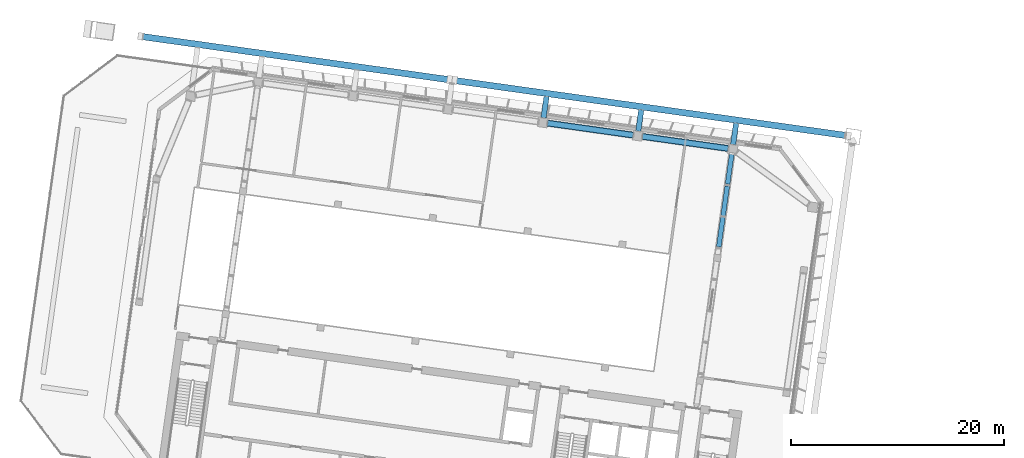
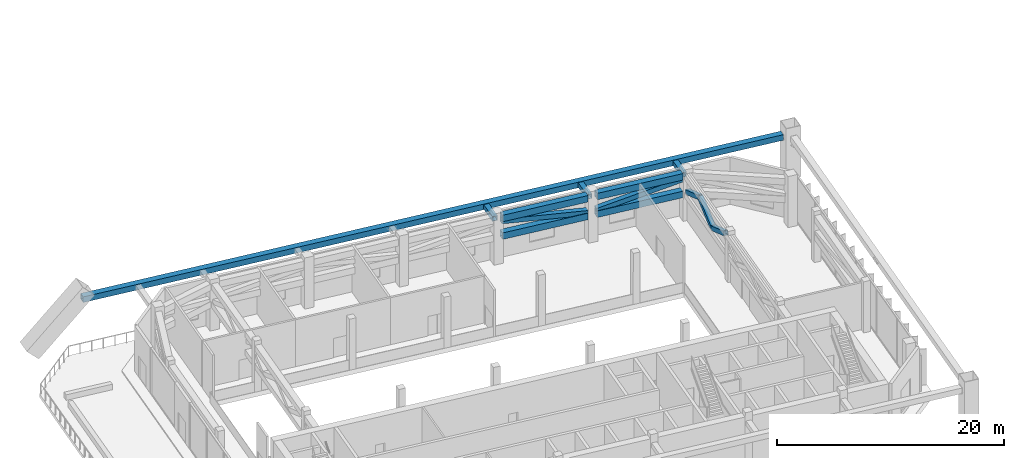
# One storey, part 6 of 41: 13 members.
"""IFC4 building model written with IfcOpenShell, lengths in metres."""

from ifc_helpers import new_model, si_unit, direction, frame, origin, origin_2d, place, context, subcontext, project, spatial, hollow_rectangle, extrude, material, material_profile, profile_set, type_object, element, save


model = new_model("IFC4")

# Units and contexts
model_context = context("Model", 3, precision=1e-05, world=origin(), true_north=direction((0.0, 1.0)))
body_context = subcontext(model_context, "Body", "Model", "MODEL_VIEW")
ifc_project = project(units=[si_unit("LENGTHUNIT", "METRE"), si_unit("AREAUNIT", "SQUARE_METRE"), si_unit("VOLUMEUNIT", "CUBIC_METRE"), si_unit("PLANEANGLEUNIT", "RADIAN"), si_unit("MASSUNIT", "GRAM", prefix="KILO")], contexts=[model_context])

# Site, building, storey
site_placement = place(None, origin())
site = spatial("IfcSite", under=ifc_project, at=site_placement, CompositionType="ELEMENT")
building_placement = place(site_placement, origin())
building = spatial("IfcBuilding", under=site, at=building_placement, Name="Mirante Cascada Hotel Towers", CompositionType="ELEMENT")
storey_placement = place(building_placement, frame((0.0, 0.0, 151.9)))
storey = spatial("IfcBuildingStorey", under=building, at=storey_placement, Name="L35", CompositionType="ELEMENT", Elevation=151.9)

# Members
ifc_material_1 = material(Name="Steel ASTM A572 Gr 50", Category="steel")
ifc_material_profile_1 = material_profile(ifc_material_1, hollow_rectangle(XDim=0.6, YDim=0.6, WallThickness=0.04, at=origin_2d()), Name="Box chord 600x600x40 ASTM A572 Gr 50")
ifc_profile_set_1 = profile_set([ifc_material_profile_1], Name="Steel ASTM A572 Gr 50")
member_type_1 = type_object("IfcMemberType", Name="Box chord 600x600x40 ASTM A572 Gr 50", PredefinedType="CHORD", material=ifc_profile_set_1)
member_1_placement = place(storey_placement, frame((-25.8338, 18.6209, 4.35), z_axis=(-0.9902682, 0.1391722, 0.0), x_axis=(-0.1391722, -0.9902682, 0.0)))
element("IfcMember", 1, at=member_1_placement, inside=storey, type_object=member_type_1, Name="exochord T1 L35 1", PredefinedType="CHORD", context=body_context, shape_type="SweptSolid", body=[
    extrude(hollow_rectangle(XDim=0.6, YDim=0.6, WallThickness=0.04, at=origin_2d()), origin(), (0.0, 0.0, 1.0), 66.5887),
])
ifc_material_2 = material(Name="Steel ASTM A572 Gr 50", Category="steel")
ifc_material_profile_2 = material_profile(ifc_material_2, hollow_rectangle(XDim=0.6, YDim=0.7, WallThickness=0.05, at=origin_2d()), Name="Box chord 700x600x50 ASTM A572 Gr 50")
ifc_profile_set_2 = profile_set([ifc_material_profile_2], Name="Steel ASTM A572 Gr 50")
member_type_2 = type_object("IfcMemberType", Name="Box chord 700x600x50 ASTM A572 Gr 50", PredefinedType="CHORD", material=ifc_profile_set_2)
member_2_placement = place(storey_placement, frame((-36.7803, 17.3823, 4.7), z_axis=(-0.9902679, 0.1391742, 0.0), x_axis=(-0.1391742, -0.9902679, 0.0)))
element("IfcMember", 2, at=member_2_placement, inside=storey, type_object=member_type_2, Name="belt T1 L35 4", PredefinedType="CHORD", context=body_context, shape_type="SweptSolid", body=[
    extrude(hollow_rectangle(XDim=0.6, YDim=0.7, WallThickness=0.05, at=origin_2d()), origin(), (0.0, 0.0, 1.0), 8.1502),
])
member_3_placement = place(storey_placement, frame((-36.7936, 17.3841, 2.8), z_axis=(-0.9902683, 0.1391713, 0.0), x_axis=(-0.1391713, -0.9902683, 0.0)))
element("IfcMember", 3, at=member_3_placement, inside=storey, type_object=member_type_2, Name="belt T1 L35 5", PredefinedType="CHORD", context=body_context, shape_type="SweptSolid", body=[
    extrude(hollow_rectangle(XDim=0.6, YDim=0.7, WallThickness=0.05, at=origin_2d()), origin(), (0.0, 0.0, 1.0), 8.1461),
])
member_4_placement = place(storey_placement, frame((-45.7028, 18.6362, 4.7), z_axis=(-0.9902678, 0.1391753, 0.0), x_axis=(-0.1391753, -0.9902678, 0.0)))
element("IfcMember", 4, at=member_4_placement, inside=storey, type_object=member_type_2, Name="belt T1 L35 7", PredefinedType="CHORD", context=body_context, shape_type="SweptSolid", body=[
    extrude(hollow_rectangle(XDim=0.6, YDim=0.7, WallThickness=0.05, at=origin_2d()), origin(), (0.0, 0.0, 1.0), 8.148),
])
member_5_placement = place(storey_placement, frame((-45.712, 18.6375, 2.8), z_axis=(-0.9902679, 0.1391744, 0.0), x_axis=(-0.1391744, -0.9902679, 0.0)))
element("IfcMember", 5, at=member_5_placement, inside=storey, type_object=member_type_2, Name="belt T1 L35 8", PredefinedType="CHORD", context=body_context, shape_type="SweptSolid", body=[
    extrude(hollow_rectangle(XDim=0.6, YDim=0.7, WallThickness=0.05, at=origin_2d()), origin(), (0.0, 0.0, 1.0), 8.1387),
])
ifc_material_3 = material(Name="Steel ASTM A572 Gr 50", Category="steel")
ifc_material_profile_3 = material_profile(ifc_material_3, hollow_rectangle(XDim=0.45, YDim=0.45, WallThickness=0.03, at=origin_2d()), Name="Box diagonal 450x450x30 ASTM A572 Gr 50")
ifc_profile_set_3 = profile_set([ifc_material_profile_3], Name="Steel ASTM A572 Gr 50")
member_type_3 = type_object("IfcMemberType", Name="Box diagonal 450x450x30 ASTM A572 Gr 50", PredefinedType="BRACE", material=ifc_profile_set_3)
member_6_placement = place(storey_placement, frame((-37.6919, 8.0445, 4.45), z_axis=(0.1267787, 0.9020871, -0.4125119), x_axis=(-0.9902683, 0.1391716, 0.0)))
element("IfcMember", 6, at=member_6_placement, inside=storey, type_object=member_type_3, Name="outrigger T1 L35 8", PredefinedType="BRACE", context=body_context, shape_type="SweptSolid", body=[
    extrude(hollow_rectangle(XDim=0.45, YDim=0.45, WallThickness=0.03, at=origin_2d()), origin(), (0.0, 0.0, 1.0), 3.2726),
])
member_7_placement = place(storey_placement, frame((-37.277, 10.9967, 3.1), z_axis=(0.1267752, 0.9020928, 0.4125005), x_axis=(-0.9902689, 0.1391669, 0.0)))
element("IfcMember", 7, at=member_7_placement, inside=storey, type_object=member_type_3, Name="outrigger T1 L35 9", PredefinedType="BRACE", context=body_context, shape_type="SweptSolid", body=[
    extrude(hollow_rectangle(XDim=0.45, YDim=0.45, WallThickness=0.03, at=origin_2d()), origin(), (0.0, 0.0, 1.0), 3.2727),
])
member_8_placement = place(storey_placement, frame((-36.8621, 13.949, 4.45), z_axis=(0.1267787, 0.9020871, -0.4125119), x_axis=(-0.9902683, 0.1391716, 0.0)))
element("IfcMember", 8, at=member_8_placement, inside=storey, type_object=member_type_3, Name="outrigger T1 L35 10", PredefinedType="BRACE", context=body_context, shape_type="SweptSolid", body=[
    extrude(hollow_rectangle(XDim=0.45, YDim=0.45, WallThickness=0.03, at=origin_2d()), origin(), (0.0, 0.0, 1.0), 3.2726),
])
ifc_material_4 = material(Name="Steel ASTM A572 Gr 50", Category="steel")
ifc_material_profile_4 = material_profile(ifc_material_4, hollow_rectangle(XDim=0.5, YDim=0.5, WallThickness=0.035, at=origin_2d()), Name="Box diagonal 500x500x35 ASTM A572 Gr 50")
ifc_profile_set_4 = profile_set([ifc_material_profile_4], Name="Steel ASTM A572 Gr 50")
member_type_4 = type_object("IfcMemberType", Name="Box diagonal 500x500x35 ASTM A572 Gr 50", PredefinedType="BRACE", material=ifc_profile_set_4)
member_9_placement = place(storey_placement, frame((-36.7803, 17.3823, 4.35), z_axis=(-0.9797309, 0.137682, -0.1455028), x_axis=(-0.139163, -0.9902695, 0.0)))
element("IfcMember", 9, at=member_9_placement, inside=storey, type_object=member_type_4, Name="belt T1 L35 6", PredefinedType="BRACE", context=body_context, shape_type="SweptSolid", body=[
    extrude(hollow_rectangle(XDim=0.5, YDim=0.5, WallThickness=0.035, at=origin_2d()), origin(), (0.0, 0.0, 1.0), 8.2473),
])
member_10_placement = place(storey_placement, frame((-45.712, 18.6375, 3.15), z_axis=(-0.9796762, 0.1376859, 0.1458666), x_axis=(-0.1391744, -0.9902679, 0.0)))
element("IfcMember", 10, at=member_10_placement, inside=storey, type_object=member_type_4, Name="belt T1 L35 9", PredefinedType="BRACE", context=body_context, shape_type="SweptSolid", body=[
    extrude(hollow_rectangle(XDim=0.5, YDim=0.5, WallThickness=0.035, at=origin_2d()), origin(), (0.0, 0.0, 1.0), 8.2267),
])
ifc_material_5 = material(Name="Steel ASTM A572 Gr 50", Category="steel")
ifc_material_profile_5 = material_profile(ifc_material_5, hollow_rectangle(XDim=0.5, YDim=0.5, WallThickness=0.035, at=origin_2d()), Name="Box tie 500x500x35 ASTM A572 Gr 50")
ifc_profile_set_5 = profile_set([ifc_material_profile_5], Name="Steel ASTM A572 Gr 50")
member_type_5 = type_object("IfcMemberType", Name="Box tie 500x500x35 ASTM A572 Gr 50", PredefinedType="STRUT", material=ifc_profile_set_5)
member_11_placement = place(storey_placement, frame((-36.3275, 17.7529, 4.35), z_axis=(0.13917, 0.9902685, 0.0), x_axis=(-0.9902685, 0.13917, 0.0)))
element("IfcMember", 11, at=member_11_placement, inside=storey, type_object=member_type_5, Name="tie T1 L35 1", PredefinedType="STRUT", context=body_context, shape_type="SweptSolid", body=[
    extrude(hollow_rectangle(XDim=0.5, YDim=0.5, WallThickness=0.035, at=origin_2d()), origin(), (0.0, 0.0, 1.0), 2.04),
])
member_12_placement = place(storey_placement, frame((-45.2399, 19.0054, 4.35), z_axis=(0.1391632, 0.9902695, 0.0), x_axis=(-0.9902695, 0.1391632, 0.0)))
element("IfcMember", 12, at=member_12_placement, inside=storey, type_object=member_type_5, Name="tie T1 L35 3", PredefinedType="STRUT", context=body_context, shape_type="SweptSolid", body=[
    extrude(hollow_rectangle(XDim=0.5, YDim=0.5, WallThickness=0.035, at=origin_2d()), origin(), (0.0, 0.0, 1.0), 2.0401),
])
member_13_placement = place(storey_placement, frame((-54.1375, 20.2559, 4.35), z_axis=(0.13917, 0.9902685, 0.0), x_axis=(-0.9902685, 0.13917, 0.0)))
element("IfcMember", 13, at=member_13_placement, inside=storey, type_object=member_type_5, Name="tie T1 L35 5", PredefinedType="STRUT", context=body_context, shape_type="SweptSolid", body=[
    extrude(hollow_rectangle(XDim=0.5, YDim=0.5, WallThickness=0.035, at=origin_2d()), origin(), (0.0, 0.0, 1.0), 2.04),
])

save(model, "model.ifc")
